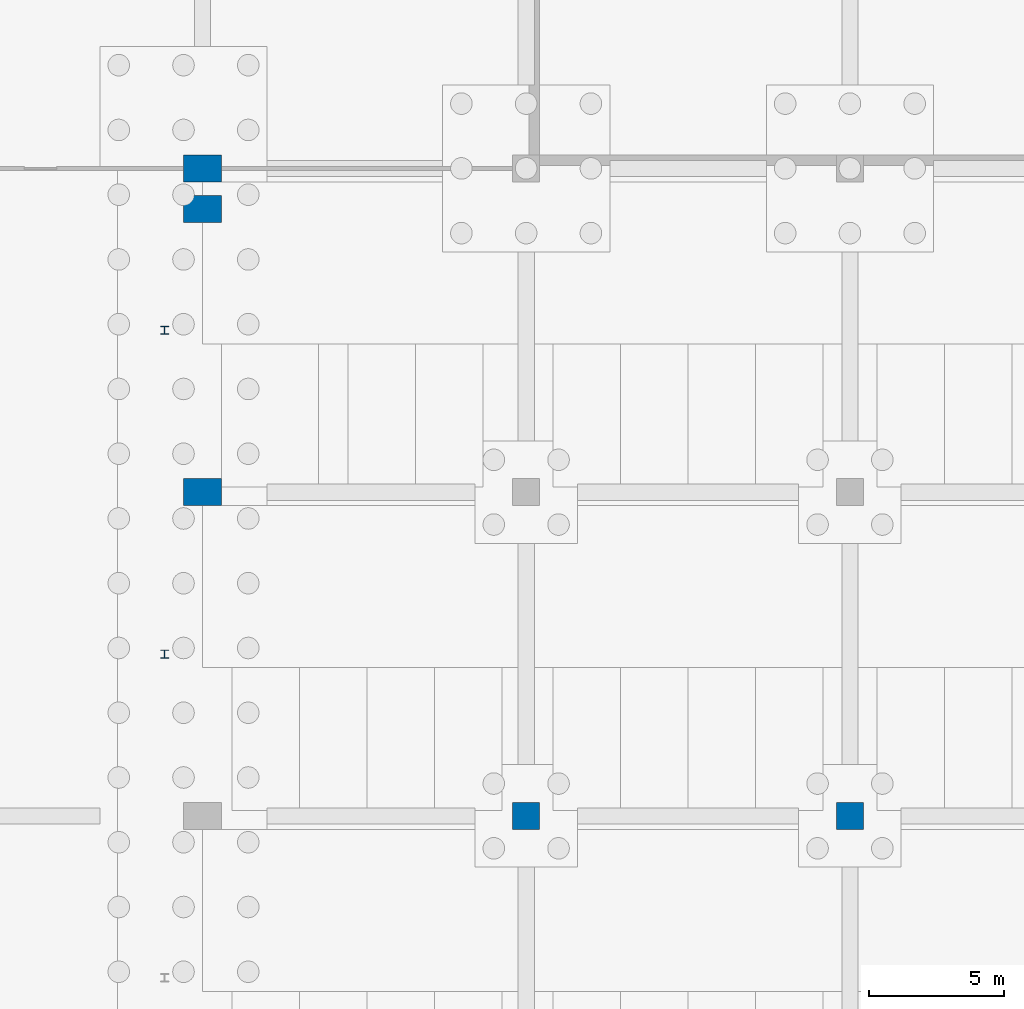
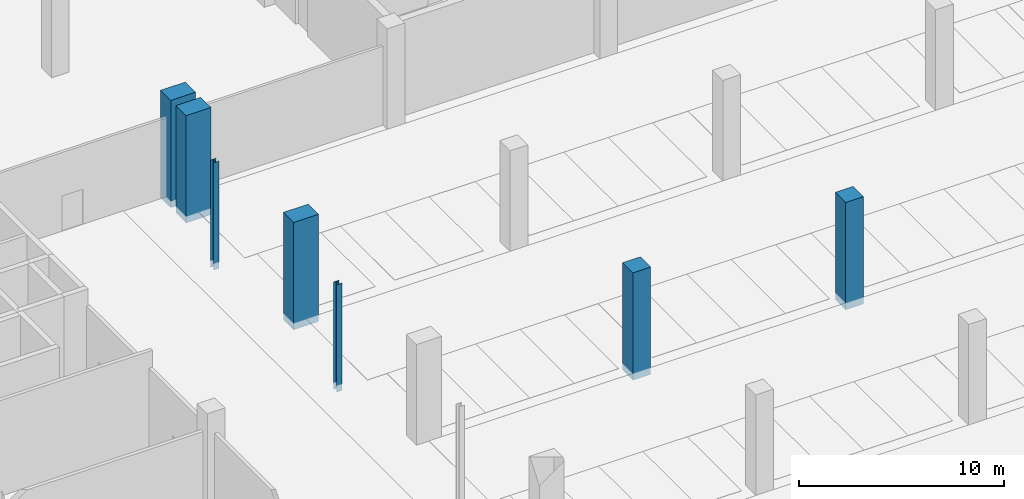
# One storey, part 13 of 34: 7 columns.
"""IFC4 building model written with IfcOpenShell, lengths in metres."""

from ifc_helpers import new_model, si_unit, direction, frame, origin, origin_2d, place, context, subcontext, project, spatial, rectangle, i_section, extrude, material, material_profile, profile_set, type_object, element, save


model = new_model("IFC4")

# Units and contexts
model_context = context("Model", 3, precision=1e-05, world=origin(), true_north=direction((0.0, 1.0)))
body_context = subcontext(model_context, "Body", "Model", "MODEL_VIEW")
ifc_project = project(units=[si_unit("LENGTHUNIT", "METRE"), si_unit("AREAUNIT", "SQUARE_METRE"), si_unit("VOLUMEUNIT", "CUBIC_METRE"), si_unit("PLANEANGLEUNIT", "RADIAN"), si_unit("MASSUNIT", "GRAM", prefix="KILO")], contexts=[model_context])

# Site, building, storey
site_placement = place(None, origin())
site = spatial("IfcSite", under=ifc_project, at=site_placement, CompositionType="ELEMENT")
building_placement = place(site_placement, origin())
building = spatial("IfcBuilding", under=site, at=building_placement, Name="Lilac Gate Convention Centre", CompositionType="ELEMENT")
storey_placement = place(building_placement, frame((0.0, 0.0, -6.0)))
storey = spatial("IfcBuildingStorey", under=building, at=storey_placement, Name="B1", CompositionType="ELEMENT", Elevation=-6.0)

# Columns
ifc_material_1 = material(Name="Concrete C40", Category="concrete")
ifc_material_profile_1 = material_profile(ifc_material_1, rectangle(XDim=1.0, YDim=1.0, at=origin_2d()), Name="RC 1000x1000")
ifc_profile_set_1 = profile_set([ifc_material_profile_1], Name="Concrete C40")
column_type_1 = type_object("IfcColumnType", Name="RC column 1000x1000 C40", PredefinedType="COLUMN", material=ifc_profile_set_1)
for number, where, z_axis, x_axis, name in (
    (1, (42.0, 198.0, -0.39990234375), (0.0, 0.0, 1.0), (1.0, 0.0, 0.0), "C1 B1 at 4/Q"),
    (2, (54.0, 198.0, -0.39990234375), (0.0, 0.0, 1.0), (1.0, 0.0, 0.0), "C1 B1 at 5/Q"),
):
    element("IfcColumn", number, at=place(storey_placement, frame(where, z_axis=z_axis, x_axis=x_axis)), inside=storey, type_object=column_type_1, Name=name, PredefinedType="COLUMN", context=body_context, shape_type="SweptSolid", body=[
        extrude(rectangle(XDim=1.0, YDim=1.0, at=origin_2d()), origin(), (0.0, 0.0, 1.0), 6.39990234375),
    ])
ifc_material_profile_2 = material_profile(ifc_material_1, rectangle(XDim=1.39990234375, YDim=1.0, at=origin_2d()), Name="RC 1400x1000")
ifc_profile_set_2 = profile_set([ifc_material_profile_2], Name="Concrete C40")
column_type_2 = type_object("IfcColumnType", Name="RC hall column 1400x1000 C40", PredefinedType="COLUMN", material=ifc_profile_set_2)
for number, where, z_axis, x_axis, name in (
    (3, (30.0, 210.0, -0.39990234375), (0.0, 0.0, 1.0), (1.0, 0.0, 0.0), "C2 B1 at 3/R"),
    (4, (30.0, 220.5, -0.39990234375), (0.0, 0.0, 1.0), (1.0, 0.0, 0.0), "C2 B1 at 30/220.5"),
    (5, (30.0, 222.0, -0.39990234375), (0.0, 0.0, 1.0), (1.0, 0.0, 0.0), "C2 B1 at 3/S"),
):
    element("IfcColumn", number, at=place(storey_placement, frame(where, z_axis=z_axis, x_axis=x_axis)), inside=storey, type_object=column_type_2, Name=name, PredefinedType="COLUMN", context=body_context, shape_type="SweptSolid", body=[
        extrude(rectangle(XDim=1.39990234375, YDim=1.0, at=origin_2d()), origin(), (0.0, 0.0, 1.0), 6.39990234375),
    ])
ifc_material_2 = material(Name="Steel Q355B", Category="steel")
ifc_material_profile_3 = material_profile(ifc_material_2, i_section(OverallWidth=0.300048828125, OverallDepth=0.300048828125, WebThickness=0.010009765625, FlangeThickness=0.014892578125, FilletRadius=0.012939453125, at=origin_2d()), Name="HW300x300x10x15")
ifc_profile_set_3 = profile_set([ifc_material_profile_3], Name="Steel Q355B")
column_type_3 = type_object("IfcColumnType", Name="Steel column HW300x300x10x15", PredefinedType="COLUMN", material=ifc_profile_set_3)
for number, where, z_axis, x_axis, name in (
    (6, (28.60009765625, 204.0, -0.39990234375), (0.0, 0.0, 1.0), (1.0, 0.0, 0.0), "SC1 B1 atrium column at 204"),
    (7, (28.60009765625, 216.0, -0.39990234375), (0.0, 0.0, 1.0), (1.0, 0.0, 0.0), "SC1 B1 atrium column at 216"),
):
    element("IfcColumn", number, at=place(storey_placement, frame(where, z_axis=z_axis, x_axis=x_axis)), inside=storey, type_object=column_type_3, Name=name, PredefinedType="COLUMN", context=body_context, shape_type="SweptSolid", body=[
        extrude(i_section(OverallWidth=0.300048828125, OverallDepth=0.300048828125, WebThickness=0.010009765625, FlangeThickness=0.014892578125, FilletRadius=0.012939453125, at=origin_2d()), origin(), (0.0, 0.0, 1.0), 6.39990234375),
    ])

save(model, "model.ifc")
